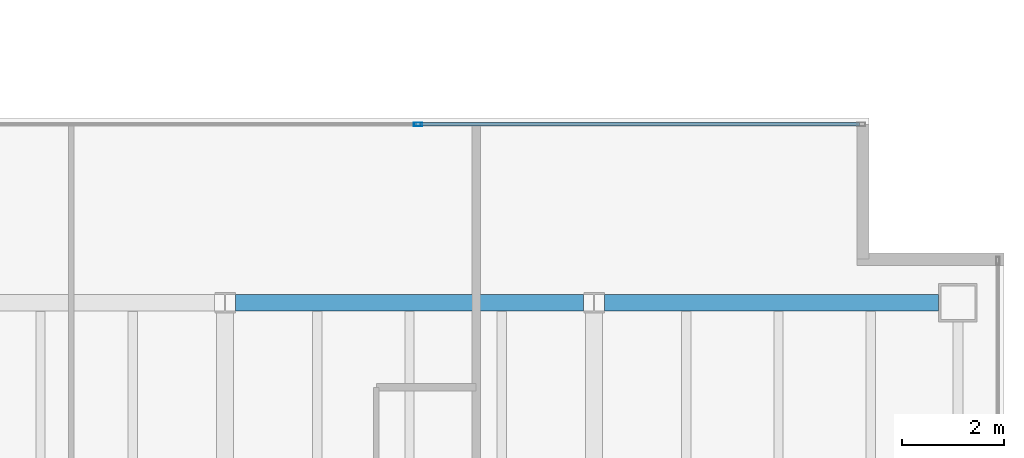
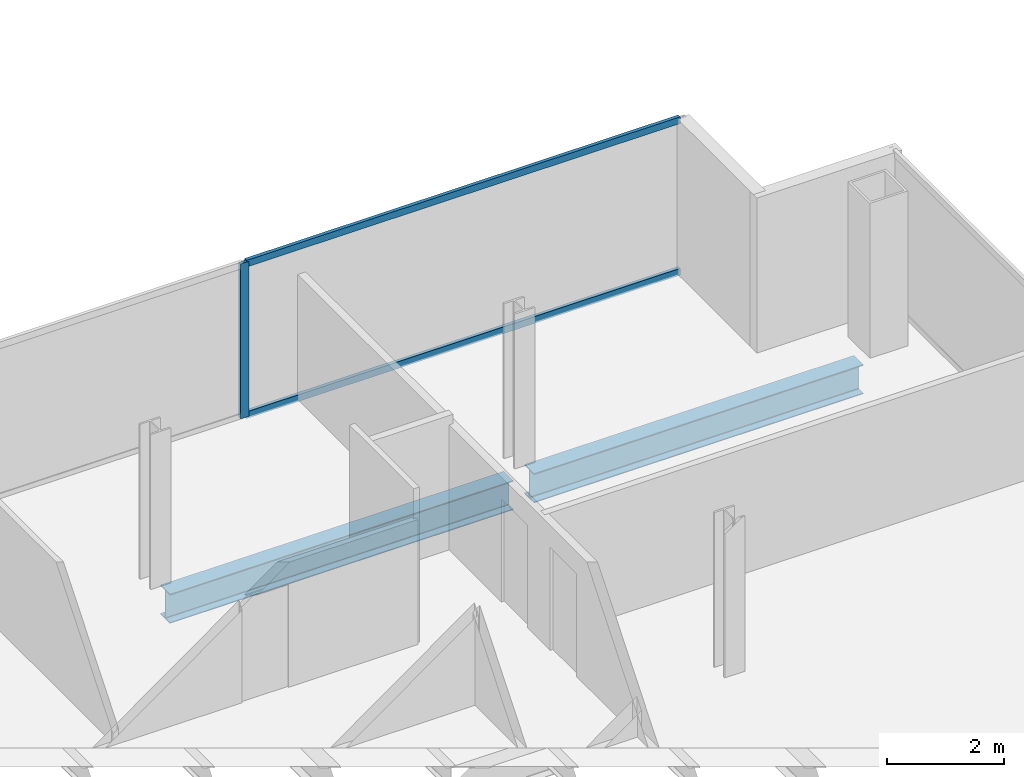
# One storey, part 15 of 23: 3 members, 2 beams, 1 element without a shape of its own.
"""IFC4 building model written with IfcOpenShell, lengths in metres."""

from ifc_helpers import new_model, si_unit, direction, frame, origin, origin_2d, place, context, subcontext, project, spatial, hollow_rectangle, i_section, extrude, material, material_profile, profile_set, type_object, element, aggregate, save


model = new_model("IFC4")

# Units and contexts
model_context = context("Model", 3, precision=1e-05, world=origin(), true_north=direction((0.0, 1.0)))
body_context = subcontext(model_context, "Body", "Model", "MODEL_VIEW")
ifc_project = project(units=[si_unit("LENGTHUNIT", "METRE"), si_unit("AREAUNIT", "SQUARE_METRE"), si_unit("VOLUMEUNIT", "CUBIC_METRE"), si_unit("PLANEANGLEUNIT", "RADIAN"), si_unit("MASSUNIT", "GRAM", prefix="KILO")], contexts=[model_context])

# Site, building, storey
site_placement = place(None, origin())
site = spatial("IfcSite", under=ifc_project, at=site_placement, CompositionType="ELEMENT")
building_placement = place(site_placement, origin())
building = spatial("IfcBuilding", under=site, at=building_placement, Name="Cobrela Telecom Tower", CompositionType="ELEMENT")
storey_placement = place(building_placement, frame((0.0, 0.0, 215.25)))
storey = spatial("IfcBuildingStorey", under=building, at=storey_placement, Name="L55", CompositionType="ELEMENT", Elevation=215.25)

# Beams
ifc_material_1 = material(Name="Steel ASTM A992 Grade 50", Category="steel")
ifc_material_profile_1 = material_profile(ifc_material_1, i_section(OverallWidth=0.324951171875, OverallDepth=0.612060546875, WebThickness=0.0126953125, FlangeThickness=0.01904296875, FilletRadius=0.014892578125, at=origin_2d()), Name="W24X104")
ifc_profile_set_1 = profile_set([ifc_material_profile_1], Name="Steel ASTM A992 Grade 50")
beam_type = type_object("IfcBeamType", Name="BM-GIRD-07", PredefinedType="USERDEFINED", material=ifc_profile_set_1)
beam_1_placement = place(storey_placement, frame((29.00439453125, 21.60009765625, -0.56591796875), z_axis=(1.0, 0.0, 0.0), x_axis=(0.0, 1.0, 0.0)))
element("IfcBeam", 1, at=beam_1_placement, inside=storey, type_object=beam_type, Name="L55 Primary Girder X17", ObjectType="GIRDER", PredefinedType="USERDEFINED", context=body_context, shape_type="SweptSolid", body=[
    extrude(i_section(OverallWidth=0.324951171875, OverallDepth=0.612060546875, WebThickness=0.0126953125, FlangeThickness=0.01904296875, FilletRadius=0.014892578125, at=origin_2d()), origin(), (0.0, 0.0, 1.0), 6.791015625),
])
beam_2_placement = place(storey_placement, frame((36.20458984375, 21.60009765625, -0.56591796875), z_axis=(1.0, 0.0, 0.0), x_axis=(0.0, 1.0, 0.0)))
element("IfcBeam", 2, at=beam_2_placement, inside=storey, type_object=beam_type, Name="L55 Primary Girder X18", ObjectType="GIRDER", PredefinedType="USERDEFINED", context=body_context, shape_type="SweptSolid", body=[
    extrude(i_section(OverallWidth=0.324951171875, OverallDepth=0.612060546875, WebThickness=0.0126953125, FlangeThickness=0.01904296875, FilletRadius=0.014892578125, at=origin_2d()), origin(), (0.0, 0.0, 1.0), 6.515380859375),
])

# Curtain wall, members
ifc_material_2 = material(Name="Anodized Bronze Aluminium 6063-T6", Category="aluminium")
curtain_wall_type = type_object("IfcCurtainWallType", Name="CW-SYS-OFF-LO", PredefinedType="USERDEFINED", material=ifc_material_2)
curtain_wall_placement = place(storey_placement, origin())
curtain_wall = element("IfcCurtainWall", 3, at=curtain_wall_placement, inside=storey, type_object=curtain_wall_type, Name="L55 Unitised Bronze Curtain Wall 11", ObjectType="UNITISED CURTAIN WALL", PredefinedType="USERDEFINED")
ifc_material_profile_2 = material_profile(ifc_material_2, hollow_rectangle(XDim=0.070068359375, YDim=0.159912109375, WallThickness=0.00390625, at=origin_2d()), Name="ALU 70x160x4")
ifc_profile_set_2 = profile_set([ifc_material_profile_2], Name="Anodized Bronze Aluminium 6063-T6")
member_type_1 = type_object("IfcMemberType", Name="CW-SYS-OFF-LO-MUL", PredefinedType="MULLION", material=ifc_profile_set_2)
member_1_placement = place(storey_placement, frame((32.56494140625, 25.080078125, 0.0), z_axis=(0.0, 0.0, 1.0), x_axis=(0.0, 1.0, 0.0)))
member_1 = element("IfcMember", 4, at=member_1_placement, type_object=member_type_1, Name="CW-OFF-LO mullion 2", PredefinedType="MULLION", context=body_context, shape_type="SweptSolid", body=[
    extrude(hollow_rectangle(XDim=0.070068359375, YDim=0.159912109375, WallThickness=0.00390625, at=origin_2d()), origin(), (0.0, 0.0, 1.0), 3.239990234375),
])
ifc_material_profile_3 = material_profile(ifc_material_2, hollow_rectangle(XDim=0.070068359375, YDim=0.139892578125, WallThickness=0.00390625, at=origin_2d()), Name="ALU 70x140x4")
ifc_profile_set_3 = profile_set([ifc_material_profile_3], Name="Anodized Bronze Aluminium 6063-T6")
member_type_2 = type_object("IfcMemberType", Name="CW-SYS-OFF-LO-TRN", PredefinedType="USERDEFINED", material=ifc_profile_set_3)
member_2_placement = place(storey_placement, frame((32.60009765625, 25.080078125, 0.034912109375), z_axis=(1.0, 0.0, 0.0), x_axis=(0.0, 1.0, 0.0)))
member_2 = element("IfcMember", 5, at=member_2_placement, type_object=member_type_2, Name="CW-OFF-LO transom 2.1", ObjectType="TRANSOM", PredefinedType="USERDEFINED", context=body_context, shape_type="SweptSolid", body=[
    extrude(hollow_rectangle(XDim=0.070068359375, YDim=0.139892578125, WallThickness=0.00390625, at=origin_2d()), origin(), (0.0, 0.0, 1.0), 8.579833984375),
])
member_3_placement = place(storey_placement, frame((32.60009765625, 25.080078125, 3.205078125), z_axis=(1.0, 0.0, 0.0), x_axis=(0.0, 1.0, 0.0)))
member_3 = element("IfcMember", 6, at=member_3_placement, type_object=member_type_2, Name="CW-OFF-LO transom 2.2", ObjectType="TRANSOM", PredefinedType="USERDEFINED", context=body_context, shape_type="SweptSolid", body=[
    extrude(hollow_rectangle(XDim=0.070068359375, YDim=0.139892578125, WallThickness=0.00390625, at=origin_2d()), origin(), (0.0, 0.0, 1.0), 8.579833984375),
])
aggregate(curtain_wall, [member_1, member_2, member_3])

save(model, "model.ifc")
